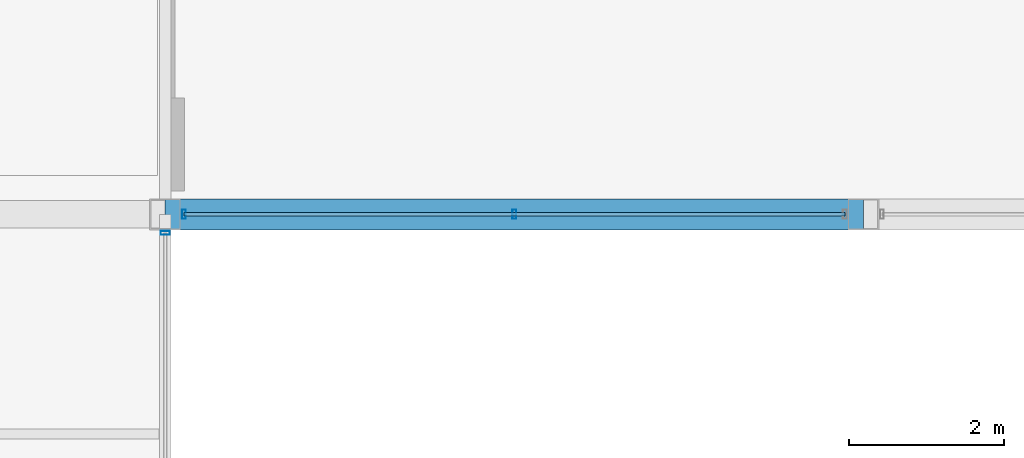
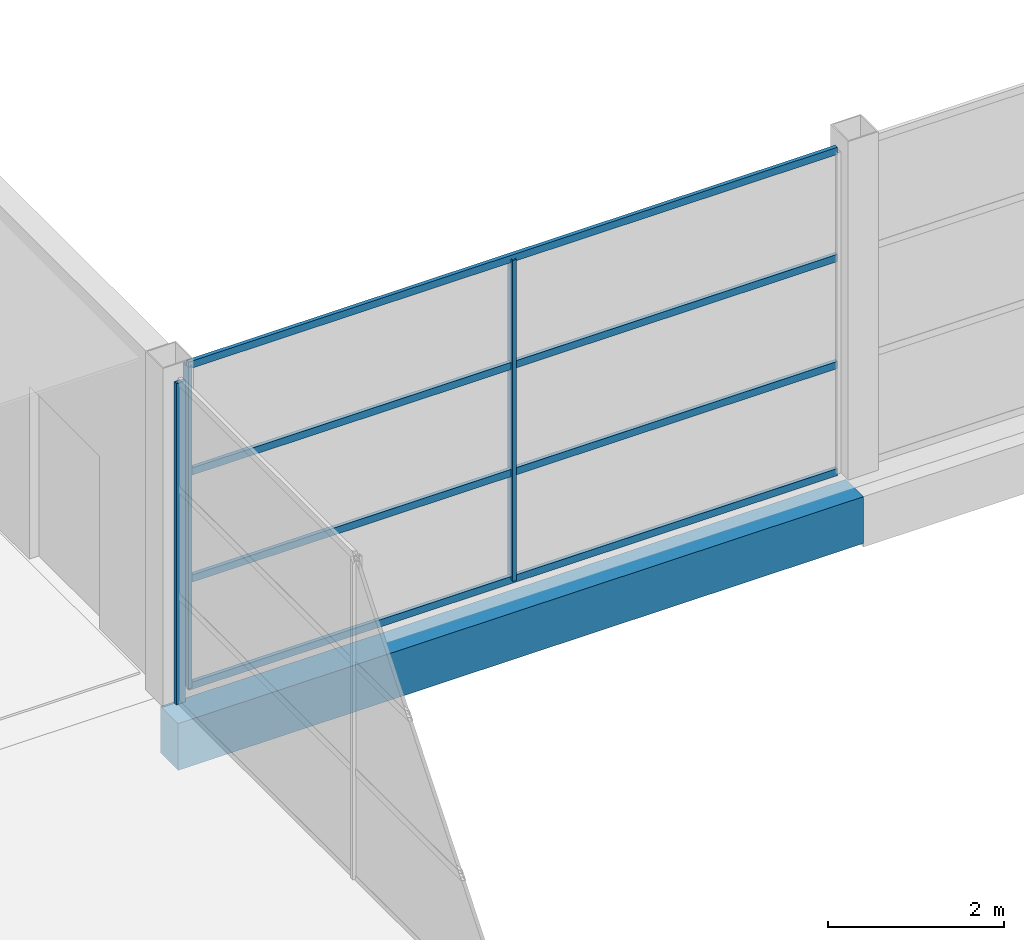
# One storey, part 74 of 112: 7 members, 1 beam, 2 elements without a shape of their own.
"""IFC4 building model written with IfcOpenShell, lengths in metres."""

from ifc_helpers import new_model, si_unit, direction, frame, origin, origin_2d, place, context, subcontext, project, spatial, rectangle, hollow_rectangle, extrude, material, material_profile, profile_set, type_object, element, aggregate, save


model = new_model("IFC4")

# Units and contexts
model_context = context("Model", 3, precision=1e-05, world=origin(), true_north=direction((0.0, 1.0)))
body_context = subcontext(model_context, "Body", "Model", "MODEL_VIEW")
ifc_project = project(units=[si_unit("LENGTHUNIT", "METRE"), si_unit("AREAUNIT", "SQUARE_METRE"), si_unit("VOLUMEUNIT", "CUBIC_METRE"), si_unit("PLANEANGLEUNIT", "RADIAN"), si_unit("MASSUNIT", "GRAM", prefix="KILO")], contexts=[model_context])

# Site, building, storey
site_placement = place(None, origin())
site = spatial("IfcSite", under=ifc_project, at=site_placement, CompositionType="ELEMENT")
building_placement = place(site_placement, origin())
building = spatial("IfcBuilding", under=site, at=building_placement, Name="Solvikara Media Centre", CompositionType="ELEMENT")
storey_placement = place(building_placement, frame((0.0, 0.0, 5.39990234375)))
storey = spatial("IfcBuildingStorey", under=building, at=storey_placement, Name="L01", CompositionType="ELEMENT", Elevation=5.39990234375)

# Beam
ifc_material_1 = material(Name="Concrete fc' 35 MPa (C35/45)", Category="concrete")
ifc_material_profile_1 = material_profile(ifc_material_1, rectangle(XDim=0.39990234375, YDim=0.64990234375, at=origin_2d()), Name="RC 400x650")
ifc_profile_set_1 = profile_set([ifc_material_profile_1], Name="Concrete fc' 35 MPa (C35/45)")
beam_type = type_object("IfcBeamType", Name="BM-02", PredefinedType="BEAM", material=ifc_profile_set_1)
beam_placement = place(storey_placement, frame((136.5, 89.0, -0.625), z_axis=(1.0, 0.0, 0.0), x_axis=(0.0, 1.0, 0.0)))
element("IfcBeam", 1, at=beam_placement, inside=storey, type_object=beam_type, Name="B-L01-X0518", PredefinedType="BEAM", context=body_context, shape_type="SweptSolid", body=[
    extrude(rectangle(XDim=0.39990234375, YDim=0.64990234375, at=origin_2d()), origin(), (0.0, 0.0, 1.0), 9.0),
])

# Curtain wall, members
ifc_material_2 = material(Name="Anodised aluminium EN AW-6063", Category="aluminium")
curtain_wall_type = type_object("IfcCurtainWallType", Name="CW-12", PredefinedType="NOTDEFINED", material=ifc_material_2)
curtain_wall_1_placement = place(storey_placement, origin())
curtain_wall_1 = element("IfcCurtainWall", 2, at=curtain_wall_1_placement, inside=storey, type_object=curtain_wall_type, Name="CW-L01-CRT-3-S2", PredefinedType="NOTDEFINED")
ifc_material_profile_2 = material_profile(ifc_material_2, hollow_rectangle(XDim=0.050048828125, YDim=0.1201171875, WallThickness=0.0029296875, at=origin_2d()), Name="ALU-M 50x120x3")
ifc_profile_set_2 = profile_set([ifc_material_profile_2], Name="Anodised aluminium EN AW-6063")
member_type_1 = type_object("IfcMemberType", Name="MF-06", PredefinedType="MULLION", material=ifc_profile_set_2)
member_1_placement = place(storey_placement, frame((141.0, 89.0, 0.02001953125), z_axis=(0.0, 0.0, 1.0), x_axis=(-1.0, 0.0, 0.0)))
member_1 = element("IfcMember", 3, at=member_1_placement, type_object=member_type_1, Name="CW-L01-CRT-3-S2-M01", PredefinedType="MULLION", context=body_context, shape_type="SweptSolid", body=[
    extrude(hollow_rectangle(XDim=0.050048828125, YDim=0.1201171875, WallThickness=0.0029296875, at=origin_2d()), origin(), (0.0, 0.0, 1.0), 4.4599609375),
])
member_2_placement = place(storey_placement, frame((136.739990234375, 89.0, 0.02001953125), z_axis=(0.0, 0.0, 1.0), x_axis=(-1.0, 0.0, 0.0)))
member_2 = element("IfcMember", 4, at=member_2_placement, type_object=member_type_1, Name="CW-L01-CRT-3-S2-M02", PredefinedType="MULLION", context=body_context, shape_type="SweptSolid", body=[
    extrude(hollow_rectangle(XDim=0.050048828125, YDim=0.1201171875, WallThickness=0.0029296875, at=origin_2d()), origin(), (0.0, 0.0, 1.0), 4.4599609375),
])

# Curtain wall, member
curtain_wall_2_placement = place(storey_placement, origin())
curtain_wall_2 = element("IfcCurtainWall", 5, at=curtain_wall_2_placement, inside=storey, type_object=curtain_wall_type, Name="CW-L01-CRT-4-S1", PredefinedType="NOTDEFINED")
member_3_placement = place(storey_placement, frame((136.5, 88.760009765625, 0.02001953125), z_axis=(0.0, 0.0, 1.0), x_axis=(0.0, -1.0, 0.0)))
member_3 = element("IfcMember", 6, at=member_3_placement, type_object=member_type_1, Name="CW-L01-CRT-4-S1-M00", PredefinedType="MULLION", context=body_context, shape_type="SweptSolid", body=[
    extrude(hollow_rectangle(XDim=0.050048828125, YDim=0.1201171875, WallThickness=0.0029296875, at=origin_2d()), origin(), (0.0, 0.0, 1.0), 4.4599609375),
])
aggregate(curtain_wall_2, [member_3])

# Member
ifc_material_profile_3 = material_profile(ifc_material_2, hollow_rectangle(XDim=0.050048828125, YDim=0.10009765625, WallThickness=0.0029296875, at=origin_2d()), Name="ALU-T 50x100x3")
ifc_profile_set_3 = profile_set([ifc_material_profile_3], Name="Anodised aluminium EN AW-6063")
member_type_2 = type_object("IfcMemberType", Name="MF-12", PredefinedType="USERDEFINED", material=ifc_profile_set_3)
member_4_placement = place(storey_placement, frame((145.260009765625, 89.0, 0.02001953125), z_axis=(-1.0, 0.0, 0.0), x_axis=(0.0, -1.0, 0.0)))
member_4 = element("IfcMember", 7, at=member_4_placement, type_object=member_type_2, Name="CW-L01-CRT-3-S2-T00", ObjectType="TRANSOM", PredefinedType="USERDEFINED", context=body_context, shape_type="SweptSolid", body=[
    extrude(hollow_rectangle(XDim=0.050048828125, YDim=0.10009765625, WallThickness=0.0029296875, at=origin_2d()), origin(), (0.0, 0.0, 1.0), 8.52001953125),
])

member_5_placement = place(storey_placement, frame((145.260009765625, 89.0, 1.507080078125), z_axis=(-1.0, 0.0, 0.0), x_axis=(0.0, -1.0, 0.0)))
member_5 = element("IfcMember", 8, at=member_5_placement, type_object=member_type_2, Name="CW-L01-CRT-3-S2-T01", ObjectType="TRANSOM", PredefinedType="USERDEFINED", context=body_context, shape_type="SweptSolid", body=[
    extrude(hollow_rectangle(XDim=0.050048828125, YDim=0.10009765625, WallThickness=0.0029296875, at=origin_2d()), origin(), (0.0, 0.0, 1.0), 8.52001953125),
])

member_6_placement = place(storey_placement, frame((145.260009765625, 89.0, 2.9931640625), z_axis=(-1.0, 0.0, 0.0), x_axis=(0.0, -1.0, 0.0)))
member_6 = element("IfcMember", 9, at=member_6_placement, type_object=member_type_2, Name="CW-L01-CRT-3-S2-T02", ObjectType="TRANSOM", PredefinedType="USERDEFINED", context=body_context, shape_type="SweptSolid", body=[
    extrude(hollow_rectangle(XDim=0.050048828125, YDim=0.10009765625, WallThickness=0.0029296875, at=origin_2d()), origin(), (0.0, 0.0, 1.0), 8.52001953125),
])

member_7_placement = place(storey_placement, frame((145.260009765625, 89.0, 4.47998046875), z_axis=(-1.0, 0.0, 0.0), x_axis=(0.0, -1.0, 0.0)))
member_7 = element("IfcMember", 10, at=member_7_placement, type_object=member_type_2, Name="CW-L01-CRT-3-S2-T03", ObjectType="TRANSOM", PredefinedType="USERDEFINED", context=body_context, shape_type="SweptSolid", body=[
    extrude(hollow_rectangle(XDim=0.050048828125, YDim=0.10009765625, WallThickness=0.0029296875, at=origin_2d()), origin(), (0.0, 0.0, 1.0), 8.52001953125),
])

aggregate(curtain_wall_1, [member_1, member_2, member_4, member_5, member_6, member_7])

save(model, "model.ifc")
